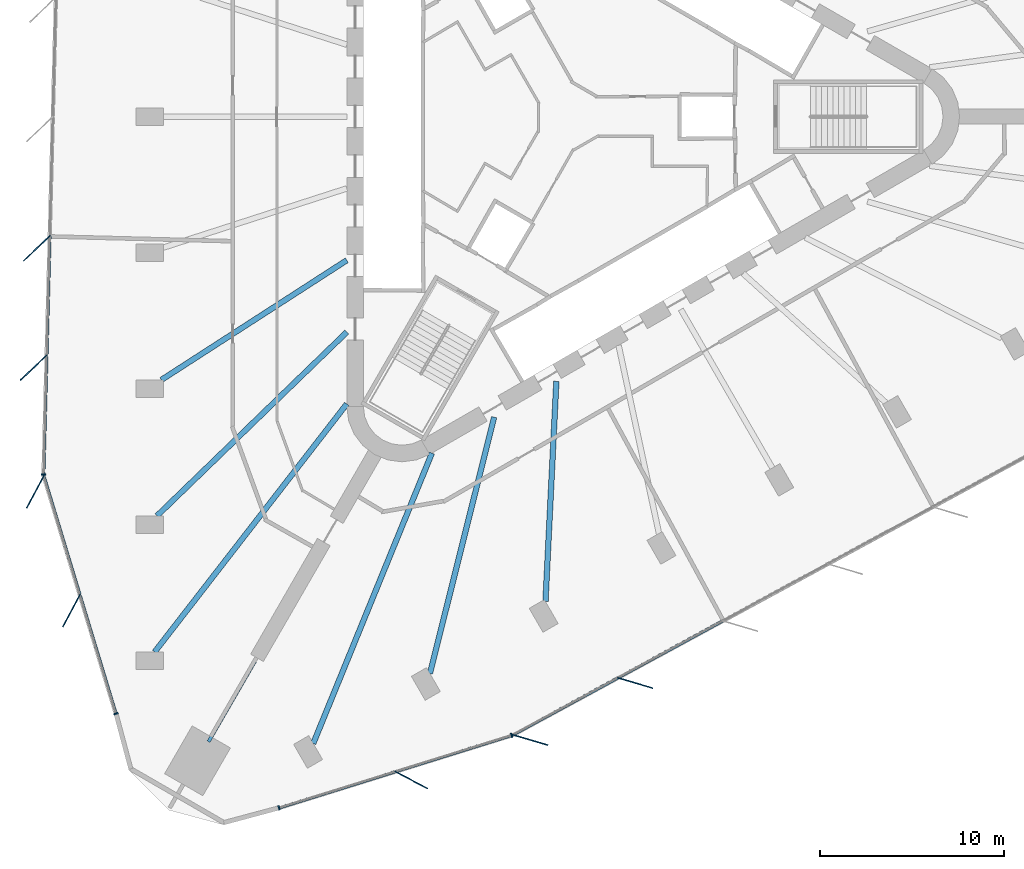
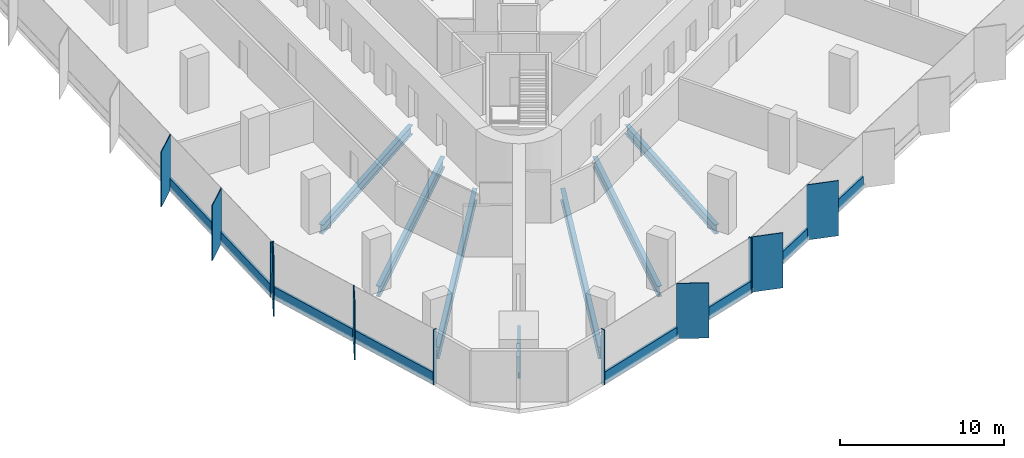
# One storey, part 2 of 14: 19 members, 7 beams, 4 elements without a shape of their own.
"""IFC4 building model written with IfcOpenShell, lengths in metres."""

from ifc_helpers import new_model, si_unit, direction, frame, origin, origin_2d, place, context, subcontext, project, spatial, rectangle, i_section, extrude, material, material_profile, profile_set, type_object, element, aggregate, save


model = new_model("IFC4")

# Units and contexts
model_context = context("Model", 3, precision=1e-05, world=origin(), true_north=direction((0.0, 1.0)))
body_context = subcontext(model_context, "Body", "Model", "MODEL_VIEW")
ifc_project = project(units=[si_unit("LENGTHUNIT", "METRE"), si_unit("AREAUNIT", "SQUARE_METRE"), si_unit("VOLUMEUNIT", "CUBIC_METRE"), si_unit("PLANEANGLEUNIT", "RADIAN"), si_unit("MASSUNIT", "GRAM", prefix="KILO")], contexts=[model_context])

# Site, building, storey
site_placement = place(None, origin())
site = spatial("IfcSite", under=ifc_project, at=site_placement, CompositionType="ELEMENT")
building_placement = place(site_placement, origin())
building = spatial("IfcBuilding", under=site, at=building_placement, Name="Tanit Gate Tower", CompositionType="ELEMENT")
storey_placement = place(building_placement, frame((0.0, 0.0, 119.300048828125)))
storey = spatial("IfcBuildingStorey", under=building, at=storey_placement, Name="L25", CompositionType="ELEMENT", Elevation=119.300048828125)

# Curtain wall, members
ifc_material_1 = material(Name="Aluminium bronze anodised and glass", Category="aluminium")
curtain_wall_type = type_object("IfcCurtainWallType", Name="Curtain wall typical low", PredefinedType="NOTDEFINED", material=ifc_material_1)
curtain_wall_1_placement = place(storey_placement, origin())
curtain_wall_1 = element("IfcCurtainWall", 1, at=curtain_wall_1_placement, inside=storey, type_object=curtain_wall_type, Name="Curtain wall L25 W2", PredefinedType="NOTDEFINED")
ifc_material_2 = material(Name="Aluminium bronze anodised", Category="aluminium")
ifc_material_profile_1 = material_profile(ifc_material_2, rectangle(XDim=2.0, YDim=0.055908203125, at=origin_2d()), Name="56x2000 bronze fin mullion")
ifc_profile_set_1 = profile_set([ifc_material_profile_1], Name="Aluminium bronze anodised")
member_type_1 = type_object("IfcMemberType", Name="FIN MULLION 56x2000 bronze", PredefinedType="MULLION", material=ifc_profile_set_1)
member_1_placement = place(storey_placement, frame((-28.945556640625, -7.157470703125, -0.300048828125), z_axis=(0.0, 0.0, 1.0), x_axis=(0.725295571884, 0.688437603131, 0.0)))
member_1 = element("IfcMember", 2, at=member_1_placement, type_object=member_type_1, Name="Fin mullion L25 W2.5", PredefinedType="MULLION", context=body_context, shape_type="SweptSolid", body=[
    extrude(rectangle(XDim=2.0, YDim=0.055908203125, at=origin_2d()), origin(), (0.0, 0.0, 1.0), 4.10009765625),
])
member_2_placement = place(storey_placement, frame((-29.11474609375, -13.64306640625, -0.300048828125), z_axis=(0.0, 0.0, 1.0), x_axis=(0.725295571884, 0.688437603131, 0.0)))
member_2 = element("IfcMember", 3, at=member_2_placement, type_object=member_type_1, Name="Fin mullion L25 W2.6", PredefinedType="MULLION", context=body_context, shape_type="SweptSolid", body=[
    extrude(rectangle(XDim=2.0, YDim=0.055908203125, at=origin_2d()), origin(), (0.0, 0.0, 1.0), 4.10009765625),
])

curtain_wall_2_placement = place(storey_placement, origin())
curtain_wall_2 = element("IfcCurtainWall", 4, at=curtain_wall_2_placement, inside=storey, type_object=curtain_wall_type, Name="Curtain wall L25 W3", PredefinedType="NOTDEFINED")
member_3_placement = place(storey_placement, frame((-29.02490234375, -20.395751953125, -0.300048828125), z_axis=(0.0, 0.0, 1.0), x_axis=(0.471377964943, 0.881931297872, 0.0)))
member_3 = element("IfcMember", 5, at=member_3_placement, type_object=member_type_1, Name="Fin mullion L25 W3.1", PredefinedType="MULLION", context=body_context, shape_type="SweptSolid", body=[
    extrude(rectangle(XDim=2.0, YDim=0.055908203125, at=origin_2d()), origin(), (0.0, 0.0, 1.0), 4.10009765625),
])
member_4_placement = place(storey_placement, frame((-27.066162109375, -26.85302734375, -0.300048828125), z_axis=(0.0, 0.0, 1.0), x_axis=(0.471377964943, 0.881931297872, 0.0)))
member_4 = element("IfcMember", 6, at=member_4_placement, type_object=member_type_1, Name="Fin mullion L25 W3.2", PredefinedType="MULLION", context=body_context, shape_type="SweptSolid", body=[
    extrude(rectangle(XDim=2.0, YDim=0.055908203125, at=origin_2d()), origin(), (0.0, 0.0, 1.0), 4.10009765625),
])

# Curtain wall, member
curtain_wall_3_placement = place(storey_placement, origin())
curtain_wall_3 = element("IfcCurtainWall", 7, at=curtain_wall_3_placement, inside=storey, type_object=curtain_wall_type, Name="Curtain wall L25 SE1", PredefinedType="NOTDEFINED")
member_5_placement = place(storey_placement, frame((-8.59765625, -36.05126953125, -0.300048828125), z_axis=(0.0, 0.0, 1.0), x_axis=(-0.885483827733, 0.464670195756, 0.0)))
member_5 = element("IfcMember", 8, at=member_5_placement, type_object=member_type_1, Name="Fin mullion L25 SE1.2", PredefinedType="MULLION", context=body_context, shape_type="SweptSolid", body=[
    extrude(rectangle(XDim=2.0, YDim=0.055908203125, at=origin_2d()), origin(), (0.0, 0.0, 1.0), 4.10009765625),
])

# Curtain wall, members
curtain_wall_4_placement = place(storey_placement, origin())
curtain_wall_4 = element("IfcCurtainWall", 9, at=curtain_wall_4_placement, inside=storey, type_object=curtain_wall_type, Name="Curtain wall L25 SE2", PredefinedType="NOTDEFINED")
member_6_placement = place(storey_placement, frame((-2.1328125, -33.8740234375, -0.300048828125), z_axis=(0.0, 0.0, 1.0), x_axis=(-0.958852239174, 0.283905588939, 0.0)))
member_6 = element("IfcMember", 10, at=member_6_placement, type_object=member_type_1, Name="Fin mullion L25 SE2.1", PredefinedType="MULLION", context=body_context, shape_type="SweptSolid", body=[
    extrude(rectangle(XDim=2.0, YDim=0.055908203125, at=origin_2d()), origin(), (0.0, 0.0, 1.0), 4.10009765625),
])
member_7_placement = place(storey_placement, frame((3.568115234375, -30.777587890625, -0.300048828125), z_axis=(0.0, 0.0, 1.0), x_axis=(-0.958852239174, 0.283905588939, 0.0)))
member_7 = element("IfcMember", 11, at=member_7_placement, type_object=member_type_1, Name="Fin mullion L25 SE2.2", PredefinedType="MULLION", context=body_context, shape_type="SweptSolid", body=[
    extrude(rectangle(XDim=2.0, YDim=0.055908203125, at=origin_2d()), origin(), (0.0, 0.0, 1.0), 4.10009765625),
])

# Member
ifc_material_3 = material(Name="Aluminium bronze anodised", Category="aluminium")
ifc_material_profile_2 = material_profile(ifc_material_3, rectangle(XDim=0.239990234375, YDim=0.080078125, at=origin_2d()), Name="80x240 bronze mullion")
ifc_profile_set_2 = profile_set([ifc_material_profile_2], Name="Aluminium bronze anodised")
member_type_2 = type_object("IfcMemberType", Name="Mullion 80x240 typical low", PredefinedType="MULLION", material=ifc_profile_set_2)
member_8_placement = place(storey_placement, frame((-28.574951171875, -19.45556640625, -0.300048828125), z_axis=(0.0, 0.0, 1.0), x_axis=(0.999660314842, -0.026062519646, 0.0)))
member_8 = element("IfcMember", 12, at=member_8_placement, type_object=member_type_2, Name="Mullion L25 W2.7", PredefinedType="MULLION", context=body_context, shape_type="SweptSolid", body=[
    extrude(rectangle(XDim=0.239990234375, YDim=0.080078125, at=origin_2d()), origin(), (0.0, 0.0, 1.0), 4.10009765625),
])

member_9_placement = place(storey_placement, frame((-24.646484375, -32.448486328125, -0.300048828125), z_axis=(0.0, 0.0, 1.0), x_axis=(0.956934156779, 0.290305045753, 0.0)))
member_9 = element("IfcMember", 13, at=member_9_placement, type_object=member_type_2, Name="Mullion L25 W3.3", PredefinedType="MULLION", context=body_context, shape_type="SweptSolid", body=[
    extrude(rectangle(XDim=0.239990234375, YDim=0.080078125, at=origin_2d()), origin(), (0.0, 0.0, 1.0), 4.10009765625),
])

member_10_placement = place(storey_placement, frame((-15.782958984375, -37.56689453125, -0.300048828125), z_axis=(0.0, 0.0, 1.0), x_axis=(-0.297560172786, 0.954703065655, 0.0)))
member_10 = element("IfcMember", 14, at=member_10_placement, type_object=member_type_2, Name="Mullion L25 SE1.1", PredefinedType="MULLION", context=body_context, shape_type="SweptSolid", body=[
    extrude(rectangle(XDim=0.239990234375, YDim=0.080078125, at=origin_2d()), origin(), (0.0, 0.0, 1.0), 4.10009765625),
])

member_11_placement = place(storey_placement, frame((-3.143310546875, -33.62744140625, -0.300048828125), z_axis=(0.0, 0.0, 1.0), x_axis=(-0.297560172786, 0.954703065655, 0.0)))
member_11 = element("IfcMember", 15, at=member_11_placement, type_object=member_type_2, Name="Mullion L25 SE1.3", PredefinedType="MULLION", context=body_context, shape_type="SweptSolid", body=[
    extrude(rectangle(XDim=0.239990234375, YDim=0.080078125, at=origin_2d()), origin(), (0.0, 0.0, 1.0), 4.10009765625),
])

# Beams
ifc_material_4 = material(Name="Steel S355", Category="steel")
ifc_material_profile_3 = material_profile(ifc_material_4, i_section(OverallWidth=0.300048828125, OverallDepth=0.68994140625, WebThickness=0.014404296875, FlangeThickness=0.027099609375, FilletRadius=0.027099609375, at=origin_2d()), Name="HEA 700")
ifc_profile_set_3 = profile_set([ifc_material_profile_3], Name="Steel S355")
beam_type_1 = type_object("IfcBeamType", Name="RADIAL GIRDER HEA 700 S355", PredefinedType="BEAM", material=ifc_profile_set_3)
beam_1_placement = place(storey_placement, frame((-22.173095703125, -14.307861328125, -0.64501953125), z_axis=(0.840246058538, 0.542205275805, 0.0), x_axis=(-0.542205275805, 0.840246058538, 0.0)))
element("IfcBeam", 16, at=beam_1_placement, inside=storey, type_object=beam_type_1, Name="RADIAL GIRDER", PredefinedType="BEAM", context=body_context, shape_type="SweptSolid", body=[
    extrude(i_section(OverallWidth=0.300048828125, OverallDepth=0.68994140625, WebThickness=0.014404296875, FlangeThickness=0.027099609375, FilletRadius=0.027099609375, at=origin_2d()), origin(), (0.0, 0.0, 1.0), 11.98583984375),
])
beam_2_placement = place(storey_placement, frame((-1.304443359375, -26.356201171875, -0.64501953125), z_axis=(0.049436754849, 0.998777256084, 0.0), x_axis=(-0.998777256084, 0.049436754849, 0.0)))
element("IfcBeam", 17, at=beam_2_placement, inside=storey, type_object=beam_type_1, Name="RADIAL GIRDER", PredefinedType="BEAM", context=body_context, shape_type="SweptSolid", body=[
    extrude(i_section(OverallWidth=0.300048828125, OverallDepth=0.68994140625, WebThickness=0.014404296875, FlangeThickness=0.027099609375, FilletRadius=0.027099609375, at=origin_2d()), origin(), (0.0, 0.0, 1.0), 11.985595703125),
])
ifc_material_5 = material(Name="Steel S355", Category="steel")
ifc_material_profile_4 = material_profile(ifc_material_5, i_section(OverallWidth=0.300048828125, OverallDepth=0.7900390625, WebThickness=0.014892578125, FlangeThickness=0.028076171875, FilletRadius=0.030029296875, at=origin_2d()), Name="HEA 800")
ifc_profile_set_4 = profile_set([ifc_material_profile_4], Name="Steel S355")
beam_type_2 = type_object("IfcBeamType", Name="RADIAL GIRDER HEA 800 S355", PredefinedType="BEAM", material=ifc_profile_set_4)
beam_3_placement = place(storey_placement, frame((-22.41845703125, -21.69921875, -0.695068359375), z_axis=(0.718541832966, 0.695483741203, 0.0), x_axis=(-0.695483741203, 0.718541832966, 0.0)))
element("IfcBeam", 18, at=beam_3_placement, inside=storey, type_object=beam_type_2, Name="RADIAL GIRDER", PredefinedType="BEAM", context=body_context, shape_type="SweptSolid", body=[
    extrude(i_section(OverallWidth=0.300048828125, OverallDepth=0.7900390625, WebThickness=0.014892578125, FlangeThickness=0.028076171875, FilletRadius=0.030029296875, at=origin_2d()), origin(), (0.0, 0.0, 1.0), 14.357421875),
])
beam_4_placement = place(storey_placement, frame((-7.5830078125, -30.264404296875, -0.695068359375), z_axis=(0.243047731856, 0.970014329811, 0.0), x_axis=(-0.970014329811, 0.243047731856, 0.0)))
element("IfcBeam", 19, at=beam_4_placement, inside=storey, type_object=beam_type_2, Name="RADIAL GIRDER", PredefinedType="BEAM", context=body_context, shape_type="SweptSolid", body=[
    extrude(i_section(OverallWidth=0.300048828125, OverallDepth=0.7900390625, WebThickness=0.014892578125, FlangeThickness=0.028076171875, FilletRadius=0.030029296875, at=origin_2d()), origin(), (0.0, 0.0, 1.0), 14.357177734375),
])
ifc_material_6 = material(Name="Steel S355", Category="steel")
ifc_material_profile_5 = material_profile(ifc_material_6, i_section(OverallWidth=0.300048828125, OverallDepth=0.889892578125, WebThickness=0.01611328125, FlangeThickness=0.030029296875, FilletRadius=0.030029296875, at=origin_2d()), Name="HEA 900")
ifc_profile_set_5 = profile_set([ifc_material_profile_5], Name="Steel S355")
beam_type_3 = type_object("IfcBeamType", Name="RADIAL GIRDER HEA 900 S355", PredefinedType="BEAM", material=ifc_profile_set_5)
beam_5_placement = place(storey_placement, frame((-22.541015625, -29.0908203125, -0.7451171875), z_axis=(0.612492683922, 0.790476256533, 0.0), x_axis=(-0.790476256533, 0.612492683922, 0.0)))
element("IfcBeam", 20, at=beam_5_placement, inside=storey, type_object=beam_type_3, Name="RADIAL GIRDER", PredefinedType="BEAM", context=body_context, shape_type="SweptSolid", body=[
    extrude(i_section(OverallWidth=0.300048828125, OverallDepth=0.889892578125, WebThickness=0.01611328125, FlangeThickness=0.030029296875, FilletRadius=0.030029296875, at=origin_2d()), origin(), (0.0, 0.0, 1.0), 17.04345703125),
])
beam_6_placement = place(storey_placement, frame((-13.9228515625, -34.06640625, -0.7451171875), z_axis=(0.378315448854, 0.925676736857, 0.0), x_axis=(-0.925676736857, 0.378315448854, 0.0)))
element("IfcBeam", 21, at=beam_6_placement, inside=storey, type_object=beam_type_3, Name="RADIAL GIRDER", PredefinedType="BEAM", context=body_context, shape_type="SweptSolid", body=[
    extrude(i_section(OverallWidth=0.300048828125, OverallDepth=0.889892578125, WebThickness=0.01611328125, FlangeThickness=0.030029296875, FilletRadius=0.030029296875, at=origin_2d()), origin(), (0.0, 0.0, 1.0), 17.043212890625),
])
ifc_material_7 = material(Name="Steel S355", Category="steel")
ifc_material_profile_6 = material_profile(ifc_material_7, i_section(OverallWidth=0.179931640625, OverallDepth=0.39990234375, WebThickness=0.008544921875, FlangeThickness=0.013427734375, FilletRadius=0.02099609375, at=origin_2d()), Name="IPE 400")
ifc_profile_set_6 = profile_set([ifc_material_profile_6], Name="Steel S355")
beam_type_4 = type_object("IfcBeamType", Name="RADIAL GIRDER IPE 400 S355", PredefinedType="BEAM", material=ifc_profile_set_6)
beam_7_placement = place(storey_placement, frame((-19.611572265625, -33.96826171875, -0.5), z_axis=(0.499994660107, 0.866028486751, 0.0), x_axis=(-0.866028486751, 0.499994660107, 0.0)))
element("IfcBeam", 22, at=beam_7_placement, inside=storey, type_object=beam_type_4, Name="RADIAL GIRDER", PredefinedType="BEAM", context=body_context, shape_type="SweptSolid", body=[
    extrude(i_section(OverallWidth=0.179931640625, OverallDepth=0.39990234375, WebThickness=0.008544921875, FlangeThickness=0.013427734375, FilletRadius=0.02099609375, at=origin_2d()), origin(), (0.0, 0.0, 1.0), 5.04638671875),
])

# Member
ifc_material_8 = material(Name="Aluminium bronze anodised", Category="aluminium")
ifc_material_profile_7 = material_profile(ifc_material_8, rectangle(XDim=0.159912109375, YDim=0.89990234375, at=origin_2d()), Name="160x900 bronze transom")
ifc_profile_set_7 = profile_set([ifc_material_profile_7], Name="Aluminium bronze anodised")
member_type_3 = type_object("IfcMemberType", Name="Transom 160x900 typical low", PredefinedType="USERDEFINED", material=ifc_profile_set_7)
member_12_placement = place(storey_placement, frame((-28.23779296875, -6.524658203125, 0.14990234375), z_axis=(-0.026061199028, -0.999660349271, 0.0), x_axis=(0.999660349271, -0.026061199028, 0.0)))
member_12 = element("IfcMember", 23, at=member_12_placement, type_object=member_type_3, Name="Transom L25 W2.5", ObjectType="TRANSOM", PredefinedType="USERDEFINED", context=body_context, shape_type="SweptSolid", body=[
    extrude(rectangle(XDim=0.159912109375, YDim=0.89990234375, at=origin_2d()), origin(), (0.0, 0.0, 1.0), 6.40771484375),
])

member_13_placement = place(storey_placement, frame((-28.40673828125, -13.010009765625, 0.14990234375), z_axis=(-0.026061199028, -0.999660349271, 0.0), x_axis=(0.999660349271, -0.026061199028, 0.0)))
member_13 = element("IfcMember", 24, at=member_13_placement, type_object=member_type_3, Name="Transom L25 W2.6", ObjectType="TRANSOM", PredefinedType="USERDEFINED", context=body_context, shape_type="SweptSolid", body=[
    extrude(rectangle(XDim=0.159912109375, YDim=0.89990234375, at=origin_2d()), origin(), (0.0, 0.0, 1.0), 6.40771484375),
])

aggregate(curtain_wall_1, [member_1, member_2, member_8, member_12, member_13])

member_14_placement = place(storey_placement, frame((-28.552734375, -19.572021484375, 0.14990234375), z_axis=(0.290309188967, -0.956932899843, 0.0), x_axis=(0.956932899843, 0.290309188967, 0.0)))
member_14 = element("IfcMember", 25, at=member_14_placement, type_object=member_type_3, Name="Transom L25 W3.1", ObjectType="TRANSOM", PredefinedType="USERDEFINED", context=body_context, shape_type="SweptSolid", body=[
    extrude(rectangle(XDim=0.159912109375, YDim=0.89990234375, at=origin_2d()), origin(), (0.0, 0.0, 1.0), 6.66796875),
])

member_15_placement = place(storey_placement, frame((-26.59375, -26.029296875, 0.14990234375), z_axis=(0.290309188967, -0.956932899843, 0.0), x_axis=(0.956932899843, 0.290309188967, 0.0)))
member_15 = element("IfcMember", 26, at=member_15_placement, type_object=member_type_3, Name="Transom L25 W3.2", ObjectType="TRANSOM", PredefinedType="USERDEFINED", context=body_context, shape_type="SweptSolid", body=[
    extrude(rectangle(XDim=0.159912109375, YDim=0.89990234375, at=origin_2d()), origin(), (0.0, 0.0, 1.0), 6.66796875),
])

aggregate(curtain_wall_2, [member_3, member_4, member_9, member_14, member_15])

member_16_placement = place(storey_placement, frame((-15.744873046875, -37.554931640625, 0.14990234375), z_axis=(0.954708873839, 0.297541536953, 0.0), x_axis=(-0.297541536953, 0.954708873839, 0.0)))
member_16 = element("IfcMember", 27, at=member_16_placement, type_object=member_type_3, Name="Transom L25 SE1.1", ObjectType="TRANSOM", PredefinedType="USERDEFINED", context=body_context, shape_type="SweptSolid", body=[
    extrude(rectangle(XDim=0.159912109375, YDim=0.89990234375, at=origin_2d()), origin(), (0.0, 0.0, 1.0), 6.53955078125),
])

member_17_placement = place(storey_placement, frame((-9.425048828125, -35.585205078125, 0.14990234375), z_axis=(0.954708873839, 0.297541536953, 0.0), x_axis=(-0.297541536953, 0.954708873839, 0.0)))
member_17 = element("IfcMember", 28, at=member_17_placement, type_object=member_type_3, Name="Transom L25 SE1.2", ObjectType="TRANSOM", PredefinedType="USERDEFINED", context=body_context, shape_type="SweptSolid", body=[
    extrude(rectangle(XDim=0.159912109375, YDim=0.89990234375, at=origin_2d()), origin(), (0.0, 0.0, 1.0), 6.53955078125),
])

aggregate(curtain_wall_3, [member_10, member_5, member_11, member_16, member_17])

member_18_placement = place(storey_placement, frame((-3.034912109375, -33.577392578125, 0.14990234375), z_axis=(0.878764866194, 0.477254973723, 0.0), x_axis=(-0.477254973723, 0.878764866194, 0.0)))
member_18 = element("IfcMember", 29, at=member_18_placement, type_object=member_type_3, Name="Transom L25 SE2.1", ObjectType="TRANSOM", PredefinedType="USERDEFINED", context=body_context, shape_type="SweptSolid", body=[
    extrude(rectangle(XDim=0.159912109375, YDim=0.89990234375, at=origin_2d()), origin(), (0.0, 0.0, 1.0), 6.40771484375),
])

member_19_placement = place(storey_placement, frame((2.666259765625, -30.481201171875, 0.14990234375), z_axis=(0.878756187372, 0.477270953606, 0.0), x_axis=(-0.477270953606, 0.878756187372, 0.0)))
member_19 = element("IfcMember", 30, at=member_19_placement, type_object=member_type_3, Name="Transom L25 SE2.2", ObjectType="TRANSOM", PredefinedType="USERDEFINED", context=body_context, shape_type="SweptSolid", body=[
    extrude(rectangle(XDim=0.159912109375, YDim=0.89990234375, at=origin_2d()), origin(), (0.0, 0.0, 1.0), 6.407470703125),
])

aggregate(curtain_wall_4, [member_6, member_7, member_18, member_19])

save(model, "model.ifc")
